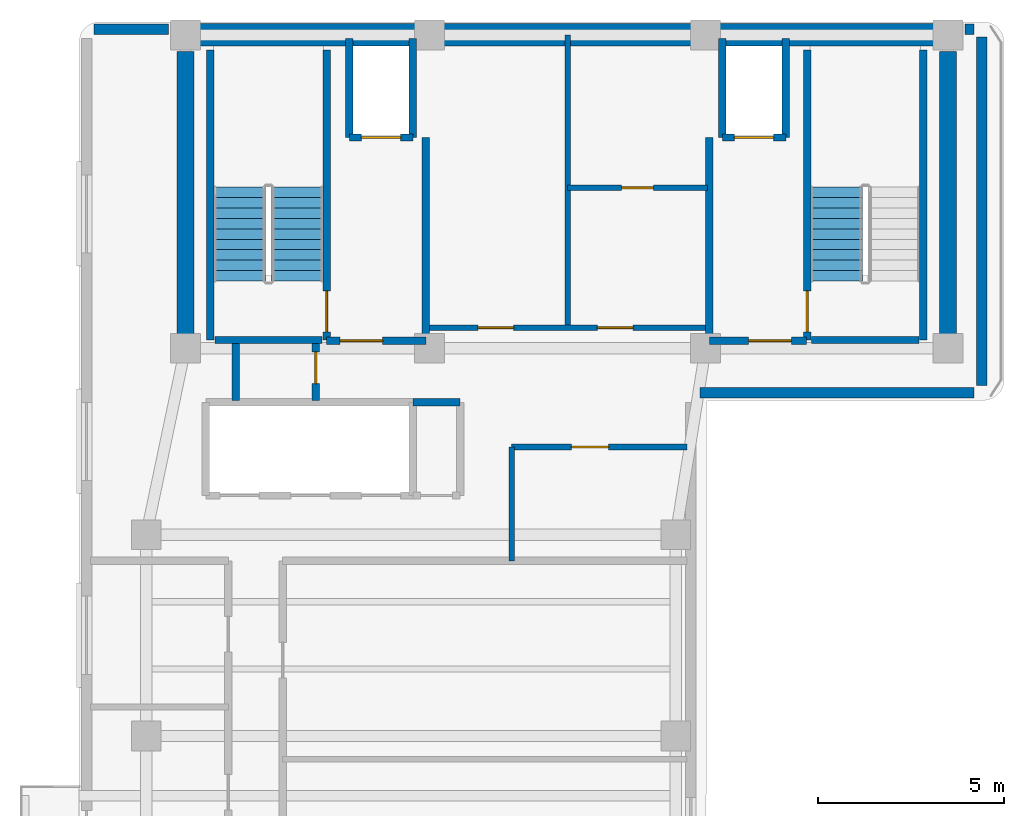
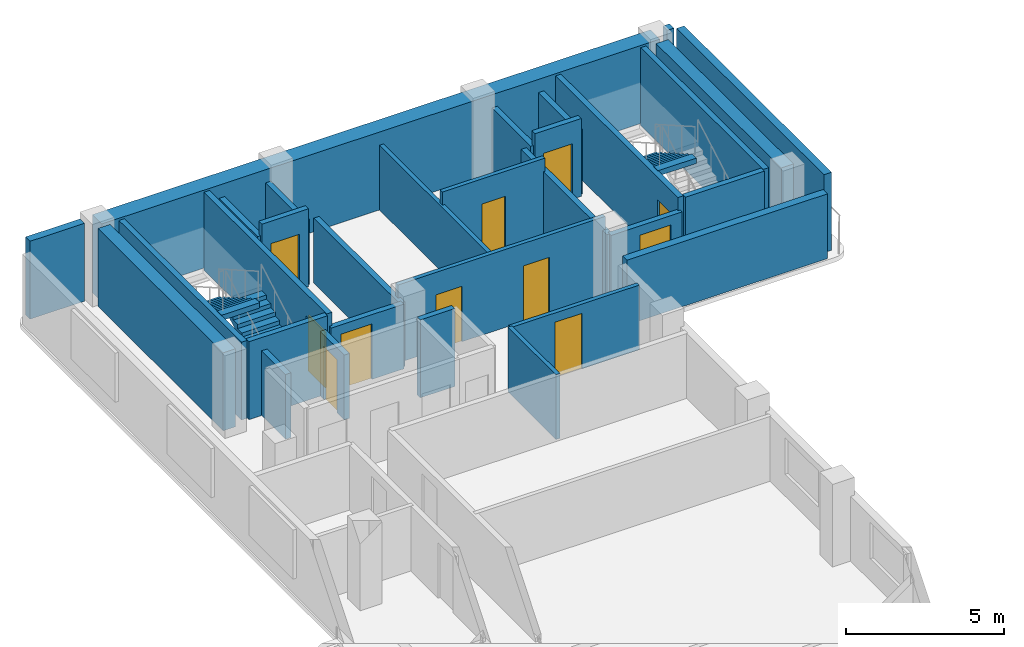
# One storey, part 3 of 6: 31 walls, 11 doors, 3 stair flights, 11 openings, 2 elements without a shape of their own.
"""IFC4 building model written with IfcOpenShell, lengths in metres."""

from ifc_helpers import new_model, si_unit, direction, frame, frame_2d, origin, place, context, subcontext, project, spatial, polyline, rectangle, outline, extrude, material, layer, layer_set, type_object, element, fill, aggregate, save


model = new_model("IFC4")

# Units and contexts
model_context = context("Model", 3, precision=1e-05, world=origin(), true_north=direction((0.0, 1.0)))
body_context = subcontext(model_context, "Body", "Model", "MODEL_VIEW")
ifc_project = project(units=[si_unit("LENGTHUNIT", "METRE"), si_unit("AREAUNIT", "SQUARE_METRE"), si_unit("VOLUMEUNIT", "CUBIC_METRE"), si_unit("PLANEANGLEUNIT", "RADIAN"), si_unit("MASSUNIT", "GRAM", prefix="KILO")], contexts=[model_context])

# Site, building, storey
site_placement = place(None, origin())
site = spatial("IfcSite", under=ifc_project, at=site_placement, CompositionType="ELEMENT")
building_placement = place(site_placement, origin())
building = spatial("IfcBuilding", under=site, at=building_placement, Name="Kuzgunbayir Cultural Tower", CompositionType="ELEMENT")
storey_placement = place(building_placement, frame((0.0, 0.0, 218.39990234375)))
storey = spatial("IfcBuildingStorey", under=building, at=storey_placement, Name="L64", CompositionType="ELEMENT", Elevation=218.39990234375)

# Walls
ifc_material_1 = material(Name="Concrete C50/60", Category="concrete")
ifc_layer_1 = layer(ifc_material_1, 0.449951171875)
ifc_layer_set_1 = layer_set([ifc_layer_1], Name="Concrete C50/60")
wall_type_1 = type_object("IfcWallType", Name="WAL-CORE-450", PredefinedType="SHEAR", material=ifc_layer_set_1)
for number, where, z_axis, x_axis, name in (
    (1, (6.449951171875, 33.800048828125, 0.0), (0.0, 0.0, 1.0), (0.0, 1.0, 0.0), "L64 T1 Core West Shear Wall"),
    (2, (26.89990234375, 33.800048828125, 0.0), (0.0, 0.0, 1.0), (0.0, 1.0, 0.0), "L64 T1 Core East Shear Wall"),
):
    element("IfcWall", number, at=place(storey_placement, frame(where, z_axis=z_axis, x_axis=x_axis)), inside=storey, type_object=wall_type_1, Name=name, PredefinedType="SHEAR", context=body_context, shape_type="SweptSolid", body=[
        extrude(rectangle(XDim=7.949951171875, YDim=0.449951171875, at=frame_2d((3.97509765625, 0.0))), origin(), (0.0, 0.0, 1.0), 3.02001953125),
    ])
ifc_material_2 = material(Name="Concrete C60/75", Category="concrete")
ifc_layer_2 = layer(ifc_material_2, 0.60009765625)
ifc_layer_set_2 = layer_set([ifc_layer_2], Name="Concrete C60/75")
wall_type_2 = type_object("IfcWallType", Name="WAL-CORE-600", PredefinedType="SHEAR", material=ifc_layer_set_2)
wall_1_placement = place(storey_placement, frame((6.449951171875, 42.199951171875, 0.0), z_axis=(0.0, 0.0, 1.0), x_axis=(1.0, 0.0, 0.0)))
element("IfcWall", 3, at=wall_1_placement, inside=storey, type_object=wall_type_2, Name="L64 T1 Core North Shear Wall", PredefinedType="SHEAR", context=body_context, shape_type="SweptSolid", body=[
    extrude(rectangle(XDim=20.449951171875, YDim=0.60009765625, at=frame_2d((10.22509765625, 0.0))), origin(), (0.0, 0.0, 1.0), 3.02001953125),
])
ifc_material_3 = material(Name="Anatolian Cream Limestone", Category="masonry")
ifc_layer_3 = layer(ifc_material_3, 0.280029296875)
ifc_layer_set_3 = layer_set([ifc_layer_3], Name="Anatolian Cream Limestone")
wall_type_3 = type_object("IfcWallType", Name="WAL-EXT-STONE-280", PredefinedType="STANDARD", material=ifc_layer_set_3)
wall_2_placement = place(storey_placement, frame((27.60009765625, 42.35009765625, 0.0), z_axis=(0.0, 0.0, 1.0), x_axis=(-1.0, 0.0, 0.0)))
element("IfcWall", 4, at=wall_2_placement, inside=storey, type_object=wall_type_3, Name="L64 North Wing B Limestone Wall", PredefinedType="STANDARD", context=body_context, shape_type="SweptSolid", body=[
    extrude(rectangle(XDim=0.25, YDim=0.280029296875, at=frame_2d((0.125, 0.0))), origin(), (0.0, 0.0, 1.0), 3.02001953125),
])
wall_3_placement = place(storey_placement, frame((6.0, 42.35009765625, 0.0), z_axis=(0.0, 0.0, 1.0), x_axis=(-1.0, 0.0, 0.0)))
element("IfcWall", 5, at=wall_3_placement, inside=storey, type_object=wall_type_3, Name="L64 Core North-West Spandrel Link", PredefinedType="STANDARD", context=body_context, shape_type="SweptSolid", body=[
    extrude(rectangle(XDim=2.0, YDim=0.280029296875, at=frame_2d((1.0, 0.0))), origin(), (0.0, 0.0, 1.0), 3.02001953125),
])
wall_4_placement = place(storey_placement, frame((27.800048828125, 32.800048828125, 0.0), z_axis=(0.0, 0.0, 1.0), x_axis=(0.0, 1.0, 0.0)))
element("IfcWall", 6, at=wall_4_placement, inside=storey, type_object=wall_type_3, Name="L64 Rear Core East Limestone Wall", PredefinedType="STANDARD", context=body_context, shape_type="SweptSolid", body=[
    extrude(rectangle(XDim=9.349853515625, YDim=0.280029296875, at=frame_2d((4.6748046875, 0.0))), origin(), (0.0, 0.0, 1.0), 3.02001953125),
])
wall_5_placement = place(storey_placement, frame((20.25, 32.60009765625, 0.0), z_axis=(0.0, 0.0, 1.0), x_axis=(1.0, 0.0, 0.0)))
element("IfcWall", 7, at=wall_5_placement, inside=storey, type_object=wall_type_3, Name="L64 Core South Soffit Wall", PredefinedType="STANDARD", context=body_context, shape_type="SweptSolid", body=[
    extrude(rectangle(XDim=7.35009765625, YDim=0.280029296875, at=frame_2d((3.675048828125, 0.0))), origin(), (0.0, 0.0, 1.0), 2.510009765625),
])

# Wall, openings, doors
ifc_material_4 = material(Name="Acoustic Double-Stud Drywall", Category="gypsum")
ifc_layer_4 = layer(ifc_material_4, 0.14990234375)
ifc_layer_set_4 = layer_set([ifc_layer_4], Name="Acoustic Double-Stud Drywall")
wall_type_4 = type_object("IfcWallType", Name="WAL-PART-ACOUSTIC-150", PredefinedType="PARTITIONING", material=ifc_layer_set_4)
wall_6_placement = place(storey_placement, frame((12.89990234375, 34.35009765625, 0.0), z_axis=(0.0, 0.0, 1.0), x_axis=(1.0, 0.0, 0.0)))
wall_6 = element("IfcWall", 8, at=wall_6_placement, inside=storey, type_object=wall_type_4, Name="L64 Sky Core South Wall", PredefinedType="PARTITIONING", context=body_context, shape_type="SweptSolid", body=[
    extrude(rectangle(XDim=7.60009765625, YDim=0.14990234375, at=frame_2d((3.800048828125, 0.0))), origin(), (0.0, 0.0, 1.0), 3.02001953125),
])
opening_1_placement = place(wall_6_placement, frame((1.39990234375, 0.0, 0.0)))
opening_1 = element("IfcOpeningElement", 9, at=opening_1_placement, cuts=wall_6, Name="Opening DC-95", PredefinedType="OPENING", context=body_context, shape_type="SweptSolid", body=[
    extrude(rectangle(XDim=0.949951171875, YDim=2.14990234375, at=frame_2d((0.47509765625, 1.074951171875))), frame((0.0, 0.0849609375, 0.0), z_axis=(0.0, -1.0, 0.0), x_axis=(1.0, 0.0, 0.0)), (0.0, 0.0, 1.0), 0.169921875),
])
opening_2_placement = place(wall_6_placement, frame((4.60009765625, 0.0, 0.0)))
opening_2 = element("IfcOpeningElement", 10, at=opening_2_placement, cuts=wall_6, Name="Opening DC-95", PredefinedType="OPENING", context=body_context, shape_type="SweptSolid", body=[
    extrude(rectangle(XDim=0.949951171875, YDim=2.14990234375, at=frame_2d((0.47509765625, 1.074951171875))), frame((0.0, 0.0849609375, 0.0), z_axis=(0.0, -1.0, 0.0), x_axis=(1.0, 0.0, 0.0)), (0.0, 0.0, 1.0), 0.169921875),
])
ifc_material_5 = material(Name="Fire-Rated Veneered Oak Leaf", Category="wood")
door_type_1 = type_object("IfcDoorType", Name="DR-CORE-95", OperationType="NOTDEFINED", PredefinedType="DOOR", material=ifc_material_5)
door_1_placement = place(opening_1_placement, origin())
door_1 = element("IfcDoor", 11, at=door_1_placement, inside=storey, type_object=door_type_1, Name="L64 Library Alcove Door", OperationType="SINGLE_SWING_LEFT", OverallHeight=2.14990234375, OverallWidth=0.949951171875, PredefinedType="DOOR", context=body_context, shape_type="SweptSolid", body=[
    extrude(rectangle(XDim=0.949951171875, YDim=2.14990234375, at=frame_2d((0.47509765625, 1.074951171875))), frame((0.0, 0.02490234375, 0.0), z_axis=(0.0, -1.0, 0.0), x_axis=(1.0, 0.0, 0.0)), (0.0, 0.0, 1.0), 0.050048828125),
])
fill(opening_1, door_1)
door_2_placement = place(opening_2_placement, origin())
door_2 = element("IfcDoor", 12, at=door_2_placement, inside=storey, type_object=door_type_1, Name="L64 Music Practice Room Door", OperationType="SINGLE_SWING_RIGHT", OverallHeight=2.14990234375, OverallWidth=0.949951171875, PredefinedType="DOOR", context=body_context, shape_type="SweptSolid", body=[
    extrude(rectangle(XDim=0.949951171875, YDim=2.14990234375, at=frame_2d((0.47509765625, 1.074951171875))), frame((0.0, 0.02490234375, 0.0), z_axis=(0.0, -1.0, 0.0), x_axis=(1.0, 0.0, 0.0)), (0.0, 0.0, 1.0), 0.050048828125),
])
fill(opening_2, door_2)

# Wall
wall_7_placement = place(storey_placement, frame((16.699951171875, 34.35009765625, 0.0), z_axis=(0.0, 0.0, 1.0), x_axis=(0.0, 1.0, 0.0)))
element("IfcWall", 13, at=wall_7_placement, inside=storey, type_object=wall_type_4, Name="L64 Sky Core Vertical Wall", PredefinedType="PARTITIONING", context=body_context, shape_type="SweptSolid", body=[
    extrude(rectangle(XDim=7.849853515625, YDim=0.14990234375, at=frame_2d((3.9248046875, 0.0))), origin(), (0.0, 0.0, 1.0), 2.510009765625),
])

# Wall, opening, door
wall_8_placement = place(storey_placement, frame((16.699951171875, 38.10009765625, 0.0), z_axis=(0.0, 0.0, 1.0), x_axis=(1.0, 0.0, 0.0)))
wall_8 = element("IfcWall", 14, at=wall_8_placement, inside=storey, type_object=wall_type_4, Name="L64 Sky Core Store Divider", PredefinedType="PARTITIONING", context=body_context, shape_type="SweptSolid", body=[
    extrude(rectangle(XDim=3.75, YDim=0.14990234375, at=frame_2d((1.875, 0.0))), origin(), (0.0, 0.0, 1.0), 3.02001953125),
])
opening_3_placement = place(wall_8_placement, frame((1.449951171875, 0.0, 0.0)))
opening_3 = element("IfcOpeningElement", 15, at=opening_3_placement, cuts=wall_8, Name="Opening DC-85", PredefinedType="OPENING", context=body_context, shape_type="SweptSolid", body=[
    extrude(rectangle(XDim=0.85009765625, YDim=2.050048828125, at=frame_2d((0.425048828125, 1.02490234375))), frame((0.0, 0.0849609375, 0.0), z_axis=(0.0, -1.0, 0.0), x_axis=(1.0, 0.0, 0.0)), (0.0, 0.0, 1.0), 0.169921875),
])
door_type_2 = type_object("IfcDoorType", Name="DR-CORE-85", OperationType="NOTDEFINED", PredefinedType="DOOR", material=ifc_material_5)
door_3_placement = place(opening_3_placement, origin())
door_3 = element("IfcDoor", 16, at=door_3_placement, inside=storey, type_object=door_type_2, Name="L64 Core Electrical Store Door", OperationType="SINGLE_SWING_LEFT", OverallHeight=2.050048828125, OverallWidth=0.85009765625, PredefinedType="DOOR", context=body_context, shape_type="SweptSolid", body=[
    extrude(rectangle(XDim=0.85009765625, YDim=2.050048828125, at=frame_2d((0.425048828125, 1.02490234375))), frame((0.0, 0.02490234375, 0.0), z_axis=(0.0, -1.0, 0.0), x_axis=(1.0, 0.0, 0.0)), (0.0, 0.0, 1.0), 0.050048828125),
])
fill(opening_3, door_3)

wall_9_placement = place(storey_placement, frame((15.199951171875, 31.14990234375, 0.0), z_axis=(0.0, 0.0, 1.0), x_axis=(1.0, 0.0, 0.0)))
wall_9 = element("IfcWall", 17, at=wall_9_placement, inside=storey, type_object=wall_type_4, Name="L64 Central Sky Salon North Wall", PredefinedType="PARTITIONING", context=body_context, shape_type="SweptSolid", body=[
    extrude(rectangle(XDim=4.699951171875, YDim=0.14990234375, at=frame_2d((2.35009765625, 0.0))), origin(), (0.0, 0.0, 1.0), 2.510009765625),
])
opening_4_placement = place(wall_9_placement, frame((1.60009765625, 0.0, 0.0)))
opening_4 = element("IfcOpeningElement", 18, at=opening_4_placement, cuts=wall_9, Name="Opening DI-100", PredefinedType="OPENING", context=body_context, shape_type="SweptSolid", body=[
    extrude(rectangle(XDim=1.0, YDim=2.14990234375, at=frame_2d((0.5, 1.074951171875))), frame((0.0, 0.0849609375, 0.0), z_axis=(0.0, -1.0, 0.0), x_axis=(1.0, 0.0, 0.0)), (0.0, 0.0, 1.0), 0.169921875),
])
ifc_material_6 = material(Name="Veneered Oak Single Leaf", Category="wood")
door_type_3 = type_object("IfcDoorType", Name="DR-INT-100", OperationType="NOTDEFINED", PredefinedType="DOOR", material=ifc_material_6)
door_4_placement = place(opening_4_placement, origin())
door_4 = element("IfcDoor", 19, at=door_4_placement, inside=storey, type_object=door_type_3, Name="L64 Central Sky Salon Door", OperationType="SINGLE_SWING_RIGHT", OverallHeight=2.14990234375, OverallWidth=1.0, PredefinedType="DOOR", context=body_context, shape_type="SweptSolid", body=[
    extrude(rectangle(XDim=1.0, YDim=2.14990234375, at=frame_2d((0.5, 1.074951171875))), frame((0.0, 0.02490234375, 0.0), z_axis=(0.0, -1.0, 0.0), x_axis=(1.0, 0.0, 0.0)), (0.0, 0.0, 1.0), 0.050048828125),
])
fill(opening_4, door_4)

# Walls
wall_10_placement = place(storey_placement, frame((15.199951171875, 28.10009765625, 0.0), z_axis=(0.0, 0.0, 1.0), x_axis=(0.0, 1.0, 0.0)))
element("IfcWall", 20, at=wall_10_placement, inside=storey, type_object=wall_type_4, Name="L64 Central Sky Salon West Wall", PredefinedType="PARTITIONING", context=body_context, shape_type="SweptSolid", body=[
    extrude(rectangle(XDim=3.0498046875, YDim=0.14990234375, at=frame_2d((1.52490234375, 0.0))), origin(), (0.0, 0.0, 1.0), 2.510009765625),
])
ifc_material_7 = material(Name="Aerated Concrete Blockwork", Category="masonry")
ifc_layer_5 = layer(ifc_material_7, 0.199951171875)
ifc_layer_set_5 = layer_set([ifc_layer_5], Name="Aerated Concrete Blockwork")
wall_type_5 = type_object("IfcWallType", Name="WAL-PART-FIRE-200", PredefinedType="PARTITIONING", material=ifc_layer_set_5)
wall_11_placement = place(storey_placement, frame((12.89990234375, 34.0, 0.0), z_axis=(0.0, 0.0, 1.0), x_axis=(0.0, 1.0, 0.0)))
element("IfcWall", 21, at=wall_11_placement, inside=storey, type_object=wall_type_5, Name="L64 FFL-1 Lobby East Fire Wall", PredefinedType="PARTITIONING", context=body_context, shape_type="SweptSolid", body=[
    extrude(rectangle(XDim=5.449951171875, YDim=0.199951171875, at=frame_2d((2.72509765625, 0.0))), origin(), (0.0, 0.0, 1.0), 2.510009765625),
])

# Wall, opening, door
wall_12_placement = place(storey_placement, frame((10.239990234375, 34.0, 0.0), z_axis=(0.0, 0.0, 1.0), x_axis=(1.0, 0.0, 0.0)))
wall_12 = element("IfcWall", 22, at=wall_12_placement, inside=storey, type_object=wall_type_5, Name="L64 FFL-1 Lobby South Fire Wall", PredefinedType="PARTITIONING", context=body_context, shape_type="SweptSolid", body=[
    extrude(rectangle(XDim=2.659912109375, YDim=0.199951171875, at=frame_2d((1.330078125, 0.0))), origin(), (0.0, 0.0, 1.0), 2.510009765625),
])
opening_5_placement = place(wall_12_placement, frame((0.35009765625, 0.0, 0.0)))
opening_5 = element("IfcOpeningElement", 23, at=opening_5_placement, cuts=wall_12, Name="Opening DR-FFL-90", PredefinedType="OPENING", context=body_context, shape_type="SweptSolid", body=[
    extrude(rectangle(XDim=1.14990234375, YDim=2.14990234375, at=frame_2d((0.574951171875, 1.074951171875))), frame((0.0, 0.10986328125, 0.0), z_axis=(0.0, -1.0, 0.0), x_axis=(1.0, 0.0, 0.0)), (0.0, 0.0, 1.0), 0.219970703125),
])
ifc_material_8 = material(Name="Steel S355J2", Category="steel")
door_type_4 = type_object("IfcDoorType", Name="DR-FFL-90", OperationType="NOTDEFINED", PredefinedType="DOOR", material=ifc_material_8)
door_5_placement = place(opening_5_placement, origin())
door_5 = element("IfcDoor", 24, at=door_5_placement, inside=storey, type_object=door_type_4, Name="L64 Firefighting Lobby 1 Door", OperationType="SINGLE_SWING_LEFT", OverallHeight=2.14990234375, OverallWidth=1.14990234375, PredefinedType="DOOR", context=body_context, shape_type="SweptSolid", body=[
    extrude(rectangle(XDim=1.14990234375, YDim=2.14990234375, at=frame_2d((0.574951171875, 1.074951171875))), frame((0.0, 0.02490234375, 0.0), z_axis=(0.0, -1.0, 0.0), x_axis=(1.0, 0.0, 0.0)), (0.0, 0.0, 1.0), 0.050048828125),
])
fill(opening_5, door_5)

# Wall
wall_13_placement = place(storey_placement, frame((20.5, 34.0, 0.0), z_axis=(0.0, 0.0, 1.0), x_axis=(0.0, 1.0, 0.0)))
element("IfcWall", 25, at=wall_13_placement, inside=storey, type_object=wall_type_5, Name="L64 FFL-2 Lobby West Fire Wall", PredefinedType="PARTITIONING", context=body_context, shape_type="SweptSolid", body=[
    extrude(rectangle(XDim=5.449951171875, YDim=0.199951171875, at=frame_2d((2.72509765625, 0.0))), origin(), (0.0, 0.0, 1.0), 2.510009765625),
])

# Wall, opening, door
wall_14_placement = place(storey_placement, frame((20.5, 34.0, 0.0), z_axis=(0.0, 0.0, 1.0), x_axis=(1.0, 0.0, 0.0)))
wall_14 = element("IfcWall", 26, at=wall_14_placement, inside=storey, type_object=wall_type_5, Name="L64 FFL-2 Lobby South Fire Wall", PredefinedType="PARTITIONING", context=body_context, shape_type="SweptSolid", body=[
    extrude(rectangle(XDim=2.60009765625, YDim=0.199951171875, at=frame_2d((1.300048828125, 0.0))), origin(), (0.0, 0.0, 1.0), 2.510009765625),
])
opening_6_placement = place(wall_14_placement, frame((1.050048828125, 0.0, 0.0)))
opening_6 = element("IfcOpeningElement", 27, at=opening_6_placement, cuts=wall_14, Name="Opening DR-FFL-90", PredefinedType="OPENING", context=body_context, shape_type="SweptSolid", body=[
    extrude(rectangle(XDim=1.14990234375, YDim=2.14990234375, at=frame_2d((0.574951171875, 1.074951171875))), frame((0.0, 0.10986328125, 0.0), z_axis=(0.0, -1.0, 0.0), x_axis=(1.0, 0.0, 0.0)), (0.0, 0.0, 1.0), 0.219970703125),
])
door_6_placement = place(opening_6_placement, origin())
door_6 = element("IfcDoor", 28, at=door_6_placement, inside=storey, type_object=door_type_4, Name="L64 Firefighting Lobby 2 Door", OperationType="SINGLE_SWING_RIGHT", OverallHeight=2.14990234375, OverallWidth=1.14990234375, PredefinedType="DOOR", context=body_context, shape_type="SweptSolid", body=[
    extrude(rectangle(XDim=1.14990234375, YDim=2.14990234375, at=frame_2d((0.574951171875, 1.074951171875))), frame((0.0, 0.02490234375, 0.0), z_axis=(0.0, -1.0, 0.0), x_axis=(1.0, 0.0, 0.0)), (0.0, 0.0, 1.0), 0.050048828125),
])
fill(opening_6, door_6)

# Walls
wall_15_placement = place(storey_placement, frame((12.550048828125, 32.35009765625, 0.0), z_axis=(0.0, 0.0, 1.0), x_axis=(1.0, 0.0, 0.0)))
element("IfcWall", 29, at=wall_15_placement, inside=storey, type_object=wall_type_5, Name="L64 Center Core Switchgear North Wall", PredefinedType="PARTITIONING", context=body_context, shape_type="SweptSolid", body=[
    extrude(rectangle(XDim=1.27001953125, YDim=0.199951171875, at=frame_2d((0.635009765625, 0.0))), origin(), (0.0, 0.0, 1.0), 3.02001953125),
])
wall_16_placement = place(storey_placement, frame((7.800048828125, 32.39990234375, 0.0), z_axis=(0.0, 0.0, 1.0), x_axis=(0.0, 1.0, 0.0)))
element("IfcWall", 30, at=wall_16_placement, inside=storey, type_object=wall_type_5, Name="L64 West Core Electrical Closet West Wall", PredefinedType="PARTITIONING", context=body_context, shape_type="SweptSolid", body=[
    extrude(rectangle(XDim=1.52001953125, YDim=0.199951171875, at=frame_2d((0.760009765625, 0.0))), origin(), (0.0, 0.0, 1.0), 2.510009765625),
])

# Wall, opening, door
wall_17_placement = place(storey_placement, frame((9.949951171875, 32.39990234375, 0.0), z_axis=(0.0, 0.0, 1.0), x_axis=(0.0, 1.0, 0.0)))
wall_17 = element("IfcWall", 31, at=wall_17_placement, inside=storey, type_object=wall_type_5, Name="L64 West Core Electrical Closet East Wall", PredefinedType="PARTITIONING", context=body_context, shape_type="SweptSolid", body=[
    extrude(rectangle(XDim=1.52001953125, YDim=0.199951171875, at=frame_2d((0.760009765625, 0.0))), origin(), (0.0, 0.0, 1.0), 2.510009765625),
])
opening_7_placement = place(wall_17_placement, frame((0.449951171875, 0.0, 0.0)))
opening_7 = element("IfcOpeningElement", 32, at=opening_7_placement, cuts=wall_17, Name="Opening DR-RSR-60", PredefinedType="OPENING", context=body_context, shape_type="SweptSolid", body=[
    extrude(rectangle(XDim=0.85009765625, YDim=2.050048828125, at=frame_2d((0.425048828125, 1.02490234375))), frame((0.0, 0.10986328125, 0.0), z_axis=(0.0, -1.0, 0.0), x_axis=(1.0, 0.0, 0.0)), (0.0, 0.0, 1.0), 0.219970703125),
])
ifc_material_9 = material(Name="Steel Access Leaf", Category="steel")
door_type_5 = type_object("IfcDoorType", Name="DR-RISER-60", OperationType="NOTDEFINED", PredefinedType="DOOR", material=ifc_material_9)
door_7_placement = place(opening_7_placement, origin())
door_7 = element("IfcDoor", 33, at=door_7_placement, inside=storey, type_object=door_type_5, Name="L64 West Core Switchgear Closet Door", OperationType="SINGLE_SWING_RIGHT", OverallHeight=2.050048828125, OverallWidth=0.85009765625, PredefinedType="DOOR", context=body_context, shape_type="SweptSolid", body=[
    extrude(rectangle(XDim=0.85009765625, YDim=2.050048828125, at=frame_2d((0.425048828125, 1.02490234375))), frame((0.0, 0.02490234375, 0.0), z_axis=(0.0, -1.0, 0.0), x_axis=(1.0, 0.0, 0.0)), (0.0, 0.0, 1.0), 0.050048828125),
])
fill(opening_7, door_7)

ifc_material_10 = material(Name="Concrete C40/50", Category="concrete")
ifc_layer_6 = layer(ifc_material_10, 0.199951171875)
ifc_layer_set_6 = layer_set([ifc_layer_6], Name="Concrete C40/50")
wall_type_6 = type_object("IfcWallType", Name="WAL-SHAFT-200", PredefinedType="MOVABLE", material=ifc_layer_set_6)
wall_18_placement = place(storey_placement, frame((10.85009765625, 39.449951171875, 0.0), z_axis=(0.0, 0.0, 1.0), x_axis=(1.0, 0.0, 0.0)))
wall_18 = element("IfcWall", 34, at=wall_18_placement, inside=storey, type_object=wall_type_6, Name="L64 FFL-1 Lift Front Wall", PredefinedType="MOVABLE", context=body_context, shape_type="SweptSolid", body=[
    extrude(rectangle(XDim=1.699951171875, YDim=0.199951171875, at=frame_2d((0.85009765625, 0.0))), origin(), (0.0, 0.0, 1.0), 3.02001953125),
])
opening_8_placement = place(wall_18_placement, frame((0.320068359375, 0.0, 0.0)))
opening_8 = element("IfcOpeningElement", 35, at=opening_8_placement, cuts=wall_18, Name="Opening LD", PredefinedType="OPENING", context=body_context, shape_type="SweptSolid", body=[
    extrude(rectangle(XDim=1.050048828125, YDim=2.14990234375, at=frame_2d((0.52490234375, 1.074951171875))), frame((0.0, 0.10986328125, 0.0), z_axis=(0.0, -1.0, 0.0), x_axis=(1.0, 0.0, 0.0)), (0.0, 0.0, 1.0), 0.219970703125),
])
ifc_material_11 = material(Name="Brushed Stainless Steel", Category="steel")
door_type_6 = type_object("IfcDoorType", Name="DR-LIFT-LANDING", OperationType="SLIDING_TO_LEFT", PredefinedType="DOOR", material=ifc_material_11)
door_8_placement = place(opening_8_placement, origin())
door_8 = element("IfcDoor", 36, at=door_8_placement, inside=storey, type_object=door_type_6, Name="L64 Lift FFL-1 Landing Door", OperationType="SLIDING_TO_LEFT", OverallHeight=2.14990234375, OverallWidth=1.050048828125, PredefinedType="DOOR", context=body_context, shape_type="SweptSolid", body=[
    extrude(rectangle(XDim=1.050048828125, YDim=2.14990234375, at=frame_2d((0.52490234375, 1.074951171875))), frame((0.0, 0.02490234375, 0.0), z_axis=(0.0, -1.0, 0.0), x_axis=(1.0, 0.0, 0.0)), (0.0, 0.0, 1.0), 0.050048828125),
])
fill(opening_8, door_8)

wall_19_placement = place(storey_placement, frame((20.85009765625, 39.449951171875, 0.0), z_axis=(0.0, 0.0, 1.0), x_axis=(1.0, 0.0, 0.0)))
wall_19 = element("IfcWall", 37, at=wall_19_placement, inside=storey, type_object=wall_type_6, Name="L64 FFL-2 Lift Front Wall", PredefinedType="MOVABLE", context=body_context, shape_type="SweptSolid", body=[
    extrude(rectangle(XDim=1.699951171875, YDim=0.199951171875, at=frame_2d((0.85009765625, 0.0))), origin(), (0.0, 0.0, 1.0), 3.02001953125),
])
opening_9_placement = place(wall_19_placement, frame((0.320068359375, 0.0, 0.0)))
opening_9 = element("IfcOpeningElement", 38, at=opening_9_placement, cuts=wall_19, Name="Opening LD", PredefinedType="OPENING", context=body_context, shape_type="SweptSolid", body=[
    extrude(rectangle(XDim=1.050048828125, YDim=2.14990234375, at=frame_2d((0.52490234375, 1.074951171875))), frame((0.0, 0.10986328125, 0.0), z_axis=(0.0, -1.0, 0.0), x_axis=(1.0, 0.0, 0.0)), (0.0, 0.0, 1.0), 0.219970703125),
])
door_9_placement = place(opening_9_placement, origin())
door_9 = element("IfcDoor", 39, at=door_9_placement, inside=storey, type_object=door_type_6, Name="L64 Lift FFL-2 Landing Door", OperationType="SLIDING_TO_LEFT", OverallHeight=2.14990234375, OverallWidth=1.050048828125, PredefinedType="DOOR", context=body_context, shape_type="SweptSolid", body=[
    extrude(rectangle(XDim=1.050048828125, YDim=2.14990234375, at=frame_2d((0.52490234375, 1.074951171875))), frame((0.0, 0.02490234375, 0.0), z_axis=(0.0, -1.0, 0.0), x_axis=(1.0, 0.0, 0.0)), (0.0, 0.0, 1.0), 0.050048828125),
])
fill(opening_9, door_9)

# Walls
for number, where, z_axis, x_axis, name in (
    (40, (10.85009765625, 39.449951171875, 0.0), (0.0, 0.0, 1.0), (0.0, 1.0, 0.0), "L64 FFL-1 Shaft West Wall"),
    (41, (12.550048828125, 39.449951171875, 0.0), (0.0, 0.0, 1.0), (0.0, 1.0, 0.0), "L64 FFL-1 Shaft East Wall"),
    (42, (20.85009765625, 39.449951171875, 0.0), (0.0, 0.0, 1.0), (0.0, 1.0, 0.0), "L64 FFL-2 Shaft West Wall"),
    (43, (22.550048828125, 39.449951171875, 0.0), (0.0, 0.0, 1.0), (0.0, 1.0, 0.0), "L64 FFL-2 Shaft East Wall"),
):
    element("IfcWall", number, at=place(storey_placement, frame(where, z_axis=z_axis, x_axis=x_axis)), inside=storey, type_object=wall_type_6, Name=name, PredefinedType="MOVABLE", context=body_context, shape_type="SweptSolid", body=[
        extrude(rectangle(XDim=2.650146484375, YDim=0.199951171875, at=frame_2d((1.3251953125, 0.0))), origin(), (0.0, 0.0, 1.0), 2.510009765625),
    ])
ifc_layer_7 = layer(ifc_material_10, 0.199951171875)
ifc_layer_set_7 = layer_set([ifc_layer_7], Name="Concrete C40/50")
wall_type_7 = type_object("IfcWallType", Name="WAL-STAIR-RC-200", PredefinedType="SHEAR", material=ifc_layer_set_7)
wall_20_placement = place(storey_placement, frame((7.1201171875, 34.02001953125, 0.0), z_axis=(0.0, 0.0, 1.0), x_axis=(0.0, 1.0, 0.0)))
element("IfcWall", 44, at=wall_20_placement, inside=storey, type_object=wall_type_7, Name="L64 Stair ST-1 West Structural Wall", PredefinedType="SHEAR", context=body_context, shape_type="SweptSolid", body=[
    extrude(rectangle(XDim=7.780029296875, YDim=0.199951171875, at=frame_2d((3.89013671875, 0.0))), origin(), (0.0, 0.0, 1.0), 3.02001953125),
])

# Wall, opening, door
wall_21_placement = place(storey_placement, frame((10.239990234375, 34.02001953125, 0.0), z_axis=(0.0, 0.0, 1.0), x_axis=(0.0, 1.0, 0.0)))
wall_21 = element("IfcWall", 45, at=wall_21_placement, inside=storey, type_object=wall_type_7, Name="L64 Stair ST-1 East Structural Wall", PredefinedType="SHEAR", context=body_context, shape_type="SweptSolid", body=[
    extrude(rectangle(XDim=7.780029296875, YDim=0.199951171875, at=frame_2d((3.89013671875, 0.0))), origin(), (0.0, 0.0, 1.0), 3.02001953125),
])
opening_10_placement = place(wall_21_placement, frame((0.219970703125, 0.0, 0.0)))
opening_10 = element("IfcOpeningElement", 46, at=opening_10_placement, cuts=wall_21, Name="Opening DR-STAIR-90", PredefinedType="OPENING", context=body_context, shape_type="SweptSolid", body=[
    extrude(rectangle(XDim=1.10009765625, YDim=2.14990234375, at=frame_2d((0.550048828125, 1.074951171875))), frame((0.0, 0.10986328125, 0.0), z_axis=(0.0, -1.0, 0.0), x_axis=(1.0, 0.0, 0.0)), (0.0, 0.0, 1.0), 0.219970703125),
])
door_type_7 = type_object("IfcDoorType", Name="DR-STAIR-90", OperationType="NOTDEFINED", PredefinedType="DOOR", material=ifc_material_8)
door_10_placement = place(opening_10_placement, origin())
door_10 = element("IfcDoor", 47, at=door_10_placement, inside=storey, type_object=door_type_7, Name="L64 Stair ST-1 Fire Door", OperationType="SINGLE_SWING_RIGHT", OverallHeight=2.14990234375, OverallWidth=1.10009765625, PredefinedType="DOOR", context=body_context, shape_type="SweptSolid", body=[
    extrude(rectangle(XDim=1.10009765625, YDim=2.14990234375, at=frame_2d((0.550048828125, 1.074951171875))), frame((0.0, 0.02490234375, 0.0), z_axis=(0.0, -1.0, 0.0), x_axis=(1.0, 0.0, 0.0)), (0.0, 0.0, 1.0), 0.050048828125),
])
fill(opening_10, door_10)

# Wall
wall_22_placement = place(storey_placement, frame((7.239990234375, 34.02001953125, 0.0), z_axis=(0.0, 0.0, 1.0), x_axis=(1.0, 0.0, 0.0)))
element("IfcWall", 48, at=wall_22_placement, inside=storey, type_object=wall_type_7, Name="L64 Stair ST-1 South Structural Wall", PredefinedType="SHEAR", context=body_context, shape_type="SweptSolid", body=[
    extrude(rectangle(XDim=2.880126953125, YDim=0.199951171875, at=frame_2d((1.43994140625, 0.0))), origin(), (0.0, 0.0, 1.0), 3.02001953125),
])

# Wall, opening, door
wall_23_placement = place(storey_placement, frame((23.1201171875, 34.02001953125, 0.0), z_axis=(0.0, 0.0, 1.0), x_axis=(0.0, 1.0, 0.0)))
wall_23 = element("IfcWall", 49, at=wall_23_placement, inside=storey, type_object=wall_type_7, Name="L64 Stair ST-2 West Structural Wall", PredefinedType="SHEAR", context=body_context, shape_type="SweptSolid", body=[
    extrude(rectangle(XDim=7.780029296875, YDim=0.199951171875, at=frame_2d((3.89013671875, 0.0))), origin(), (0.0, 0.0, 1.0), 3.02001953125),
])
opening_11_placement = place(wall_23_placement, frame((0.219970703125, 0.0, 0.0)))
opening_11 = element("IfcOpeningElement", 50, at=opening_11_placement, cuts=wall_23, Name="Opening DR-STAIR-90", PredefinedType="OPENING", context=body_context, shape_type="SweptSolid", body=[
    extrude(rectangle(XDim=1.10009765625, YDim=2.14990234375, at=frame_2d((0.550048828125, 1.074951171875))), frame((0.0, 0.10986328125, 0.0), z_axis=(0.0, -1.0, 0.0), x_axis=(1.0, 0.0, 0.0)), (0.0, 0.0, 1.0), 0.219970703125),
])
door_11_placement = place(opening_11_placement, origin())
door_11 = element("IfcDoor", 51, at=door_11_placement, inside=storey, type_object=door_type_7, Name="L64 Stair ST-2 Fire Door", OperationType="SINGLE_SWING_RIGHT", OverallHeight=2.14990234375, OverallWidth=1.10009765625, PredefinedType="DOOR", context=body_context, shape_type="SweptSolid", body=[
    extrude(rectangle(XDim=1.10009765625, YDim=2.14990234375, at=frame_2d((0.550048828125, 1.074951171875))), frame((0.0, 0.02490234375, 0.0), z_axis=(0.0, -1.0, 0.0), x_axis=(1.0, 0.0, 0.0)), (0.0, 0.0, 1.0), 0.050048828125),
])
fill(opening_11, door_11)

# Walls
wall_24_placement = place(storey_placement, frame((26.239990234375, 34.02001953125, 0.0), z_axis=(0.0, 0.0, 1.0), x_axis=(0.0, 1.0, 0.0)))
element("IfcWall", 52, at=wall_24_placement, inside=storey, type_object=wall_type_7, Name="L64 Stair ST-2 East Structural Wall", PredefinedType="SHEAR", context=body_context, shape_type="SweptSolid", body=[
    extrude(rectangle(XDim=7.780029296875, YDim=0.199951171875, at=frame_2d((3.89013671875, 0.0))), origin(), (0.0, 0.0, 1.0), 3.02001953125),
])
wall_25_placement = place(storey_placement, frame((23.239990234375, 34.02001953125, 0.0), z_axis=(0.0, 0.0, 1.0), x_axis=(1.0, 0.0, 0.0)))
element("IfcWall", 53, at=wall_25_placement, inside=storey, type_object=wall_type_7, Name="L64 Stair ST-2 South Structural Wall", PredefinedType="SHEAR", context=body_context, shape_type="SweptSolid", body=[
    extrude(rectangle(XDim=2.880126953125, YDim=0.199951171875, at=frame_2d((1.43994140625, 0.0))), origin(), (0.0, 0.0, 1.0), 3.02001953125),
])

# Stair, stair flights
stair_type = type_object("IfcStairType", Name="STR-EXIT-CORE", PredefinedType="HALF_TURN_STAIR", material=ifc_material_10)
stair_1_placement = place(storey_placement, origin())
stair_1 = element("IfcStair", 54, at=stair_1_placement, inside=storey, type_object=stair_type, Name="L64 ST-1", PredefinedType="HALF_TURN_STAIR")
stair_flight_type = type_object("IfcStairFlightType", Name="STRF-RC-140", PredefinedType="STRAIGHT", material=ifc_material_10)
stair_flight_1_placement = place(storey_placement, frame((9.4599609375, 35.60009765625, 0.0), z_axis=(0.0, 0.0, 1.0), x_axis=(0.0, 1.0, 0.0)))
stair_flight_1 = element("IfcStairFlight", 55, at=stair_flight_1_placement, type_object=stair_flight_type, Name="ST-1 flight 1", NumberOfRisers=10, NumberOfTreads=9, PredefinedType="STRAIGHT", RiserHeight=0.16, TreadLength=0.28, context=body_context, shape_type="SweptSolid", body=[
    extrude(outline(polyline([(0.0, 0.0), (0.0, 0.159912109375), (0.280029296875, 0.159912109375), (0.280029296875, 0.320068359375), (0.56005859375, 0.320068359375), (0.56005859375, 0.47998046875), (0.840087890625, 0.47998046875), (0.840087890625, 0.639892578125), (1.1201171875, 0.639892578125), (1.1201171875, 0.800048828125), (1.39990234375, 0.800048828125), (1.39990234375, 0.9599609375), (1.679931640625, 0.9599609375), (1.679931640625, 1.1201171875), (1.9599609375, 1.1201171875), (1.9599609375, 1.280029296875), (2.239990234375, 1.280029296875), (2.239990234375, 1.43994140625), (2.52001953125, 1.43994140625), (2.52001953125, 1.60009765625), (2.52001953125, 1.232666015625), (0.362548828125, 0.0), (0.0, 0.0)])), frame((0.0, 0.699951171875, 0.0), z_axis=(0.0, -1.0, 0.0), x_axis=(1.0, 0.0, 0.0)), (0.0, 0.0, 1.0), 1.39990234375),
])
stair_flight_2_placement = place(storey_placement, frame((7.89990234375, 38.1201171875, 1.60009765625), z_axis=(0.0, 0.0, 1.0), x_axis=(0.0, -1.0, 0.0)))
stair_flight_2 = element("IfcStairFlight", 56, at=stair_flight_2_placement, type_object=stair_flight_type, Name="ST-1 flight 2", NumberOfRisers=10, NumberOfTreads=9, PredefinedType="STRAIGHT", RiserHeight=0.16, TreadLength=0.28, context=body_context, shape_type="SweptSolid", body=[
    extrude(outline(polyline([(0.0, 0.0), (0.0, 0.159912109375), (0.280029296875, 0.159912109375), (0.280029296875, 0.320068359375), (0.56005859375, 0.320068359375), (0.56005859375, 0.47998046875), (0.840087890625, 0.47998046875), (0.840087890625, 0.639892578125), (1.1201171875, 0.639892578125), (1.1201171875, 0.800048828125), (1.39990234375, 0.800048828125), (1.39990234375, 0.9599609375), (1.679931640625, 0.9599609375), (1.679931640625, 1.1201171875), (1.9599609375, 1.1201171875), (1.9599609375, 1.280029296875), (2.239990234375, 1.280029296875), (2.239990234375, 1.43994140625), (2.52001953125, 1.43994140625), (2.52001953125, 1.60009765625), (2.52001953125, 1.232666015625), (0.362548828125, 0.0), (0.0, 0.0)])), frame((0.0, 0.699951171875, 0.0), z_axis=(0.0, -1.0, 0.0), x_axis=(1.0, 0.0, 0.0)), (0.0, 0.0, 1.0), 1.39990234375),
])
aggregate(stair_1, [stair_flight_1, stair_flight_2])

# Stair, stair flight
stair_2_placement = place(storey_placement, origin())
stair_2 = element("IfcStair", 57, at=stair_2_placement, inside=storey, type_object=stair_type, Name="L64 ST-2", PredefinedType="HALF_TURN_STAIR")
stair_flight_3_placement = place(storey_placement, frame((23.89990234375, 38.1201171875, 1.60009765625), z_axis=(0.0, 0.0, 1.0), x_axis=(0.0, -1.0, 0.0)))
stair_flight_3 = element("IfcStairFlight", 58, at=stair_flight_3_placement, type_object=stair_flight_type, Name="ST-2 flight 2", NumberOfRisers=10, NumberOfTreads=9, PredefinedType="STRAIGHT", RiserHeight=0.16, TreadLength=0.28, context=body_context, shape_type="SweptSolid", body=[
    extrude(outline(polyline([(0.0, 0.0), (0.0, 0.159912109375), (0.280029296875, 0.159912109375), (0.280029296875, 0.320068359375), (0.56005859375, 0.320068359375), (0.56005859375, 0.47998046875), (0.840087890625, 0.47998046875), (0.840087890625, 0.639892578125), (1.1201171875, 0.639892578125), (1.1201171875, 0.800048828125), (1.39990234375, 0.800048828125), (1.39990234375, 0.9599609375), (1.679931640625, 0.9599609375), (1.679931640625, 1.1201171875), (1.9599609375, 1.1201171875), (1.9599609375, 1.280029296875), (2.239990234375, 1.280029296875), (2.239990234375, 1.43994140625), (2.52001953125, 1.43994140625), (2.52001953125, 1.60009765625), (2.52001953125, 1.232666015625), (0.362548828125, 0.0), (0.0, 0.0)])), frame((0.0, 0.699951171875, 0.0), z_axis=(0.0, -1.0, 0.0), x_axis=(1.0, 0.0, 0.0)), (0.0, 0.0, 1.0), 1.39990234375),
])
aggregate(stair_2, [stair_flight_3])

save(model, "model.ifc")
